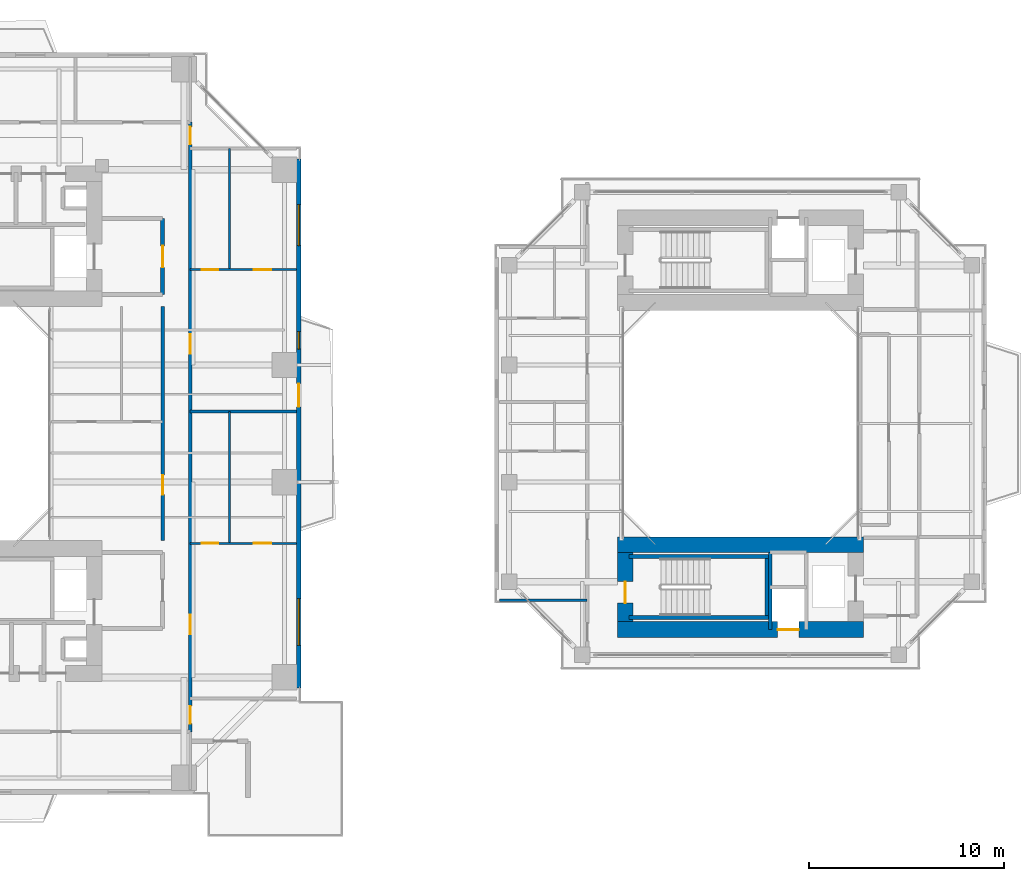
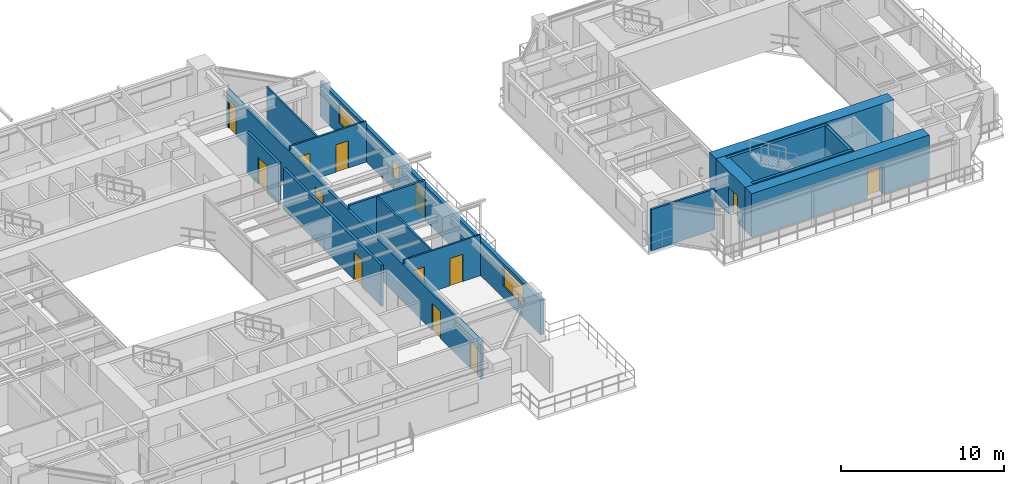
# One storey, part 16 of 23: 17 walls, 13 doors, 3 windows, 16 openings.
"""IFC4 building model written with IfcOpenShell, lengths in metres."""

from ifc_helpers import new_model, si_unit, direction, frame, frame_2d, origin, place, context, subcontext, project, spatial, rectangle, extrude, source, transform, mapped, material, layer, layer_set, type_object, element, fill, save


model = new_model("IFC4")

# Units and contexts
model_context = context("Model", 3, precision=1e-05, world=origin(), true_north=direction((0.0, 1.0)))
body_context = subcontext(model_context, "Body", "Model", "MODEL_VIEW")
ifc_project = project(units=[si_unit("LENGTHUNIT", "METRE"), si_unit("AREAUNIT", "SQUARE_METRE"), si_unit("VOLUMEUNIT", "CUBIC_METRE"), si_unit("PLANEANGLEUNIT", "RADIAN"), si_unit("MASSUNIT", "GRAM", prefix="KILO"), si_unit("THERMODYNAMICTEMPERATUREUNIT", "KELVIN"), si_unit("POWERUNIT", "WATT")], contexts=[model_context])

# Site, building, storey
site_placement = place(None, origin())
site = spatial("IfcSite", under=ifc_project, at=site_placement, CompositionType="ELEMENT")
building_placement = place(site_placement, origin())
building = spatial("IfcBuilding", under=site, at=building_placement, Name="Qiaomeng Ring Towers", CompositionType="ELEMENT")
storey_placement = place(building_placement, frame((0.0, 0.0, 73.0)))
storey = spatial("IfcBuildingStorey", under=building, at=storey_placement, Name="L20", CompositionType="ELEMENT", Elevation=73.0)

# Wall, openings, windows, door
ifc_material_1 = material(Name="Precast concrete C40", Category="concrete")
ifc_layer_1 = layer(ifc_material_1, 0.25, Name="Precast concrete C40")
ifc_layer_set_1 = layer_set([ifc_layer_1], Name="Precast concrete C40")
wall_type_1 = type_object("IfcWallType", Name="ARC-WL-EW1", PredefinedType="STANDARD", material=ifc_layer_set_1)
wall_1_placement = place(storey_placement, frame((37.875, 9.449951171875, 0.0), z_axis=(0.0, 0.0, 1.0), x_axis=(0.0, 1.0, 0.0)))
wall_1 = element("IfcWall", 1, at=wall_1_placement, inside=storey, type_object=wall_type_1, Name="L20 Tower 1 E Exterior Wall", PredefinedType="STANDARD", context=body_context, shape_type="SweptSolid", body=[
    extrude(rectangle(XDim=27.10009765625, YDim=0.25, at=frame_2d((13.550048828125, 0.0))), origin(), (0.0, 0.0, 1.0), 2.610107421875),
])
opening_1_placement = place(wall_1_placement, frame((14.39990234375, 0.0, 0.0)))
opening_1 = element("IfcOpeningElement", 2, at=opening_1_placement, cuts=wall_1, Name="Opening BD1", PredefinedType="OPENING", context=body_context, shape_type="SweptSolid", body=[
    extrude(rectangle(XDim=1.199951171875, YDim=2.10009765625, at=frame_2d((0.60009765625, 1.050048828125))), frame((0.0, 0.135009765625, 0.0), z_axis=(0.0, -1.0, 0.0), x_axis=(1.0, 0.0, 0.0)), (0.0, 0.0, 1.0), 0.27001953125),
])
opening_2_placement = place(wall_1_placement, frame((2.18798828125, 0.0, 0.89990234375)))
opening_2 = element("IfcOpeningElement", 3, at=opening_2_placement, cuts=wall_1, Name="Opening WN6", PredefinedType="OPENING", context=body_context, shape_type="SweptSolid", body=[
    extrude(rectangle(XDim=2.39990234375, YDim=1.47998046875, at=frame_2d((1.199951171875, 0.739990234375))), frame((0.0, 0.135009765625, 0.0), z_axis=(0.0, -1.0, 0.0), x_axis=(1.0, 0.0, 0.0)), (0.0, 0.0, 1.0), 0.27001953125),
])
opening_3_placement = place(wall_1_placement, frame((22.6630859375, 0.0, 0.89990234375)))
opening_3 = element("IfcOpeningElement", 4, at=opening_3_placement, cuts=wall_1, Name="Opening WN4", PredefinedType="OPENING", context=body_context, shape_type="SweptSolid", body=[
    extrude(rectangle(XDim=2.10009765625, YDim=1.47998046875, at=frame_2d((1.050048828125, 0.739990234375))), frame((0.0, 0.135009765625, 0.0), z_axis=(0.0, -1.0, 0.0), x_axis=(1.0, 0.0, 0.0)), (0.0, 0.0, 1.0), 0.27001953125),
])
opening_4_placement = place(wall_1_placement, frame((17.364990234375, 0.0, 0.89990234375)))
opening_4 = element("IfcOpeningElement", 5, at=opening_4_placement, cuts=wall_1, Name="Opening WN5", PredefinedType="OPENING", context=body_context, shape_type="SweptSolid", body=[
    extrude(rectangle(XDim=0.89990234375, YDim=1.199951171875, at=frame_2d((0.449951171875, 0.60009765625))), frame((0.0, 0.135009765625, 0.0), z_axis=(0.0, -1.0, 0.0), x_axis=(1.0, 0.0, 0.0)), (0.0, 0.0, 1.0), 0.27001953125),
])
ifc_material_2 = material(Name="Low-E dark-grey laminated double glazing", Category="glass")
window_type_1 = type_object("IfcWindowType", Name="ARC-WN-4", PartitioningType="TRIPLE_PANEL_VERTICAL", PredefinedType="WINDOW", material=ifc_material_2)
shared_shape_1 = source(origin(), body_context, "Body", "SweptSolid", [
    extrude(rectangle(XDim=2.10009765625, YDim=1.47998046875, at=frame_2d((1.050048828125, 0.739990234375))), frame((0.0, 0.030029296875, 0.0), z_axis=(0.0, -1.0, 0.0), x_axis=(1.0, 0.0, 0.0)), (0.0, 0.0, 1.0), 0.06005859375),
])
window_1_placement = place(opening_3_placement, origin())
window_1 = element("IfcWindow", 6, at=window_1_placement, inside=storey, type_object=window_type_1, Name="L20 Exterior Window WN4", OverallHeight=1.47998046875, OverallWidth=2.10009765625, PartitioningType="TRIPLE_PANEL_VERTICAL", PredefinedType="WINDOW", context=body_context, shape_type="MappedRepresentation", body=[
    mapped(shared_shape_1, transform((0.0, 0.0, 0.0), x_axis=(1.0, 0.0, 0.0), y_axis=(0.0, 1.0, 0.0), z_axis=(0.0, 0.0, 1.0), scale=1.0)),
])
fill(opening_3, window_1)
window_type_2 = type_object("IfcWindowType", Name="ARC-WN-6", PartitioningType="TRIPLE_PANEL_VERTICAL", PredefinedType="WINDOW", material=ifc_material_2)
shared_shape_2 = source(origin(), body_context, "Body", "SweptSolid", [
    extrude(rectangle(XDim=2.39990234375, YDim=1.47998046875, at=frame_2d((1.199951171875, 0.739990234375))), frame((0.0, 0.030029296875, 0.0), z_axis=(0.0, -1.0, 0.0), x_axis=(1.0, 0.0, 0.0)), (0.0, 0.0, 1.0), 0.06005859375),
])
window_2_placement = place(opening_2_placement, origin())
window_2 = element("IfcWindow", 7, at=window_2_placement, inside=storey, type_object=window_type_2, Name="L20 Exterior Window WN6", OverallHeight=1.47998046875, OverallWidth=2.39990234375, PartitioningType="TRIPLE_PANEL_VERTICAL", PredefinedType="WINDOW", context=body_context, shape_type="MappedRepresentation", body=[
    mapped(shared_shape_2, transform((0.0, 0.0, 0.0), x_axis=(1.0, 0.0, 0.0), y_axis=(0.0, 1.0, 0.0), z_axis=(0.0, 0.0, 1.0), scale=1.0)),
])
fill(opening_2, window_2)
door_type_1 = type_object("IfcDoorType", Name="ARC-DR-BD1", OperationType="NOTDEFINED", PredefinedType="DOOR", material=ifc_material_2)
shared_shape_3 = source(origin(), body_context, "Body", "SweptSolid", [
    extrude(rectangle(XDim=1.199951171875, YDim=2.10009765625, at=frame_2d((0.60009765625, 1.050048828125))), frame((0.0, 0.02490234375, 0.0), z_axis=(0.0, -1.0, 0.0), x_axis=(1.0, 0.0, 0.0)), (0.0, 0.0, 1.0), 0.050048828125),
])
door_1_placement = place(opening_1_placement, origin())
door_1 = element("IfcDoor", 8, at=door_1_placement, inside=storey, type_object=door_type_1, Name="L20 E Balcony Glazed Door", OperationType="SINGLE_SWING_LEFT", OverallHeight=2.10009765625, OverallWidth=1.199951171875, PredefinedType="DOOR", context=body_context, shape_type="MappedRepresentation", body=[
    mapped(shared_shape_3, transform((0.0, 0.0, 0.0), x_axis=(1.0, 0.0, 0.0), y_axis=(0.0, 1.0, 0.0), z_axis=(0.0, 0.0, 1.0), scale=1.0)),
])
fill(opening_1, door_1)
window_type_3 = type_object("IfcWindowType", Name="ARC-WN-5", PartitioningType="SINGLE_PANEL", PredefinedType="WINDOW", material=ifc_material_2)
shared_shape_4 = source(origin(), body_context, "Body", "SweptSolid", [
    extrude(rectangle(XDim=0.89990234375, YDim=1.199951171875, at=frame_2d((0.449951171875, 0.60009765625))), frame((0.0, 0.030029296875, 0.0), z_axis=(0.0, -1.0, 0.0), x_axis=(1.0, 0.0, 0.0)), (0.0, 0.0, 1.0), 0.06005859375),
])
window_3_placement = place(opening_4_placement, origin())
window_3 = element("IfcWindow", 9, at=window_3_placement, inside=storey, type_object=window_type_3, Name="L20 Exterior Window WN5", OverallHeight=1.199951171875, OverallWidth=0.89990234375, PartitioningType="SINGLE_PANEL", PredefinedType="WINDOW", context=body_context, shape_type="MappedRepresentation", body=[
    mapped(shared_shape_4, transform((0.0, 0.0, 0.0), x_axis=(1.0, 0.0, 0.0), y_axis=(0.0, 1.0, 0.0), z_axis=(0.0, 0.0, 1.0), scale=1.0)),
])
fill(opening_4, window_3)

# Wall, opening, door
ifc_material_3 = material(Name="Autoclaved aerated concrete block", Category="concrete")
ifc_layer_2 = layer(ifc_material_3, 0.199951171875, Name="Autoclaved aerated concrete block")
ifc_layer_set_2 = layer_set([ifc_layer_2], Name="Autoclaved aerated concrete block")
wall_type_2 = type_object("IfcWallType", Name="ARC-WL-PW1", PredefinedType="PARTITIONING", material=ifc_layer_set_2)
wall_2_placement = place(storey_placement, frame((30.89990234375, 29.60009765625, 0.0), z_axis=(0.0, 0.0, 1.0), x_axis=(0.0, 1.0, 0.0)))
wall_2 = element("IfcWall", 10, at=wall_2_placement, inside=storey, type_object=wall_type_2, Name="L20 Interior Wall PW1", PredefinedType="PARTITIONING", context=body_context, shape_type="SweptSolid", body=[
    extrude(rectangle(XDim=3.89990234375, YDim=0.199951171875, at=frame_2d((1.949951171875, 0.0))), origin(), (0.0, 0.0, 1.0), 3.070068359375),
])
opening_5_placement = place(wall_2_placement, frame((1.39990234375, 0.0, 0.0)))
opening_5 = element("IfcOpeningElement", 11, at=opening_5_placement, cuts=wall_2, Name="Opening FD3", PredefinedType="OPENING", context=body_context, shape_type="SweptSolid", body=[
    extrude(rectangle(XDim=1.10009765625, YDim=2.050048828125, at=frame_2d((0.550048828125, 1.02490234375))), frame((0.0, 0.10986328125, 0.0), z_axis=(0.0, -1.0, 0.0), x_axis=(1.0, 0.0, 0.0)), (0.0, 0.0, 1.0), 0.219970703125),
])
ifc_material_4 = material(Name="Galvanised steel", Category="steel")
door_type_2 = type_object("IfcDoorType", Name="ARC-DR-FD3", OperationType="NOTDEFINED", PredefinedType="DOOR", material=ifc_material_4)
shared_shape_5 = source(origin(), body_context, "Body", "SweptSolid", [
    extrude(rectangle(XDim=1.10009765625, YDim=2.050048828125, at=frame_2d((0.550048828125, 1.02490234375))), frame((0.0, 0.02490234375, 0.0), z_axis=(0.0, -1.0, 0.0), x_axis=(1.0, 0.0, 0.0)), (0.0, 0.0, 1.0), 0.050048828125),
])
door_2_placement = place(opening_5_placement, origin())
door_2 = element("IfcDoor", 12, at=door_2_placement, inside=storey, type_object=door_type_2, Name="L20 North FF Lobby Door", OperationType="SINGLE_SWING_LEFT", OverallHeight=2.050048828125, OverallWidth=1.10009765625, PredefinedType="DOOR", context=body_context, shape_type="MappedRepresentation", body=[
    mapped(shared_shape_5, transform((0.0, 0.0, 0.0), x_axis=(1.0, 0.0, 0.0), y_axis=(0.0, 1.0, 0.0), z_axis=(0.0, 0.0, 1.0), scale=1.0)),
])
fill(opening_5, door_2)

# Wall, openings, doors
ifc_layer_3 = layer(ifc_material_3, 0.179931640625, Name="Autoclaved aerated concrete block")
ifc_layer_set_3 = layer_set([ifc_layer_3], Name="Autoclaved aerated concrete block")
wall_type_3 = type_object("IfcWallType", Name="ARC-WL-PW2", PredefinedType="PARTITIONING", material=ifc_layer_set_3)
wall_3_placement = place(storey_placement, frame((32.320068359375, 7.2099609375, 0.0), z_axis=(0.0, 0.0, 1.0), x_axis=(0.0, 1.0, 0.0)))
wall_3 = element("IfcWall", 13, at=wall_3_placement, inside=storey, type_object=wall_type_3, Name="L20 Interior Wall PW2", PredefinedType="PARTITIONING", context=body_context, shape_type="SweptSolid", body=[
    extrude(rectangle(XDim=31.22998046875, YDim=0.179931640625, at=frame_2d((15.614990234375, 0.0))), origin(), (0.0, 0.0, 1.0), 2.77099609375),
])
opening_6_placement = place(wall_3_placement, frame((30.090087890625, 0.0, 0.0)))
opening_6 = element("IfcOpeningElement", 14, at=opening_6_placement, cuts=wall_3, Name="Opening ID1", PredefinedType="OPENING", context=body_context, shape_type="SweptSolid", body=[
    extrude(rectangle(XDim=0.89990234375, YDim=2.050048828125, at=frame_2d((0.449951171875, 1.02490234375))), frame((0.0, 0.099853515625, 0.0), z_axis=(0.0, -1.0, 0.0), x_axis=(1.0, 0.0, 0.0)), (0.0, 0.0, 1.0), 0.199951171875),
])
opening_7_placement = place(wall_3_placement, frame((0.4150390625, 0.0, 0.0)))
opening_7 = element("IfcOpeningElement", 15, at=opening_7_placement, cuts=wall_3, Name="Opening ID1", PredefinedType="OPENING", context=body_context, shape_type="SweptSolid", body=[
    extrude(rectangle(XDim=0.89990234375, YDim=2.050048828125, at=frame_2d((0.449951171875, 1.02490234375))), frame((0.0, 0.099853515625, 0.0), z_axis=(0.0, -1.0, 0.0), x_axis=(1.0, 0.0, 0.0)), (0.0, 0.0, 1.0), 0.199951171875),
])
opening_8_placement = place(wall_3_placement, frame((4.989990234375, 0.0, 0.0)))
opening_8 = element("IfcOpeningElement", 16, at=opening_8_placement, cuts=wall_3, Name="Opening FD4", PredefinedType="OPENING", context=body_context, shape_type="SweptSolid", body=[
    extrude(rectangle(XDim=1.0, YDim=2.050048828125, at=frame_2d((0.5, 1.02490234375))), frame((0.0, 0.099853515625, 0.0), z_axis=(0.0, -1.0, 0.0), x_axis=(1.0, 0.0, 0.0)), (0.0, 0.0, 1.0), 0.199951171875),
])
opening_9_placement = place(wall_3_placement, frame((19.35498046875, 0.0, 0.0)))
opening_9 = element("IfcOpeningElement", 17, at=opening_9_placement, cuts=wall_3, Name="Opening FD4", PredefinedType="OPENING", context=body_context, shape_type="SweptSolid", body=[
    extrude(rectangle(XDim=1.0, YDim=2.050048828125, at=frame_2d((0.5, 1.02490234375))), frame((0.0, 0.099853515625, 0.0), z_axis=(0.0, -1.0, 0.0), x_axis=(1.0, 0.0, 0.0)), (0.0, 0.0, 1.0), 0.199951171875),
])
ifc_material_5 = material(Name="Engineered fire-rated oak timber", Category="wood")
door_type_3 = type_object("IfcDoorType", Name="ARC-DR-FD4", OperationType="NOTDEFINED", PredefinedType="DOOR", material=ifc_material_5)
shared_shape_6 = source(origin(), body_context, "Body", "SweptSolid", [
    extrude(rectangle(XDim=1.0, YDim=2.050048828125, at=frame_2d((0.5, 1.02490234375))), frame((0.0, 0.02490234375, 0.0), z_axis=(0.0, -1.0, 0.0), x_axis=(1.0, 0.0, 0.0)), (0.0, 0.0, 1.0), 0.050048828125),
])
door_3_placement = place(opening_8_placement, origin())
door_3 = element("IfcDoor", 18, at=door_3_placement, inside=storey, type_object=door_type_3, Name="L20 Door FD4", OperationType="SINGLE_SWING_RIGHT", OverallHeight=2.050048828125, OverallWidth=1.0, PredefinedType="DOOR", context=body_context, shape_type="MappedRepresentation", body=[
    mapped(shared_shape_6, transform((0.0, 0.0, 0.0), x_axis=(1.0, 0.0, 0.0), y_axis=(0.0, 1.0, 0.0), z_axis=(0.0, 0.0, 1.0), scale=1.0)),
])
fill(opening_8, door_3)
door_4_placement = place(opening_9_placement, origin())
door_4 = element("IfcDoor", 19, at=door_4_placement, inside=storey, type_object=door_type_3, Name="L20 Door FD4", OperationType="SINGLE_SWING_LEFT", OverallHeight=2.050048828125, OverallWidth=1.0, PredefinedType="DOOR", context=body_context, shape_type="MappedRepresentation", body=[
    mapped(shared_shape_6, transform((0.0, 0.0, 0.0), x_axis=(1.0, 0.0, 0.0), y_axis=(0.0, 1.0, 0.0), z_axis=(0.0, 0.0, 1.0), scale=1.0)),
])
fill(opening_9, door_4)
ifc_material_6 = material(Name="Engineered oak timber", Category="wood")
door_type_4 = type_object("IfcDoorType", Name="ARC-DR-ID1", OperationType="NOTDEFINED", PredefinedType="DOOR", material=ifc_material_6)
shared_shape_7 = source(origin(), body_context, "Body", "SweptSolid", [
    extrude(rectangle(XDim=0.89990234375, YDim=2.050048828125, at=frame_2d((0.449951171875, 1.02490234375))), frame((0.0, 0.02490234375, 0.0), z_axis=(0.0, -1.0, 0.0), x_axis=(1.0, 0.0, 0.0)), (0.0, 0.0, 1.0), 0.050048828125),
])
door_5_placement = place(opening_6_placement, origin())
door_5 = element("IfcDoor", 20, at=door_5_placement, inside=storey, type_object=door_type_4, Name="L20 Door ID1", OperationType="SINGLE_SWING_RIGHT", OverallHeight=2.050048828125, OverallWidth=0.89990234375, PredefinedType="DOOR", context=body_context, shape_type="MappedRepresentation", body=[
    mapped(shared_shape_7, transform((0.0, 0.0, 0.0), x_axis=(1.0, 0.0, 0.0), y_axis=(0.0, 1.0, 0.0), z_axis=(0.0, 0.0, 1.0), scale=1.0)),
])
fill(opening_6, door_5)
door_6_placement = place(opening_7_placement, origin())
door_6 = element("IfcDoor", 21, at=door_6_placement, inside=storey, type_object=door_type_4, Name="L20 Door ID1", OperationType="SINGLE_SWING_LEFT", OverallHeight=2.050048828125, OverallWidth=0.89990234375, PredefinedType="DOOR", context=body_context, shape_type="MappedRepresentation", body=[
    mapped(shared_shape_7, transform((0.0, 0.0, 0.0), x_axis=(1.0, 0.0, 0.0), y_axis=(0.0, 1.0, 0.0), z_axis=(0.0, 0.0, 1.0), scale=1.0)),
])
fill(opening_7, door_6)

# Wall, opening, door
wall_4_placement = place(storey_placement, frame((30.89990234375, 17.0, 0.0), z_axis=(0.0, 0.0, 1.0), x_axis=(0.0, 1.0, 0.0)))
wall_4 = element("IfcWall", 22, at=wall_4_placement, inside=storey, type_object=wall_type_3, Name="L20 Interior Wall PW2", PredefinedType="PARTITIONING", context=body_context, shape_type="SweptSolid", body=[
    extrude(rectangle(XDim=12.0, YDim=0.179931640625, at=frame_2d((6.0, 0.0))), origin(), (0.0, 0.0, 1.0), 3.070068359375),
])
opening_10_placement = place(wall_4_placement, frame((2.360107421875, 0.0, 0.0)))
opening_10 = element("IfcOpeningElement", 23, at=opening_10_placement, cuts=wall_4, Name="Opening FD4", PredefinedType="OPENING", context=body_context, shape_type="SweptSolid", body=[
    extrude(rectangle(XDim=1.0, YDim=2.050048828125, at=frame_2d((0.5, 1.02490234375))), frame((0.0, 0.099853515625, 0.0), z_axis=(0.0, -1.0, 0.0), x_axis=(1.0, 0.0, 0.0)), (0.0, 0.0, 1.0), 0.199951171875),
])
door_7_placement = place(opening_10_placement, origin())
door_7 = element("IfcDoor", 24, at=door_7_placement, inside=storey, type_object=door_type_3, Name="L20 Door FD4", OperationType="SINGLE_SWING_RIGHT", OverallHeight=2.050048828125, OverallWidth=1.0, PredefinedType="DOOR", context=body_context, shape_type="MappedRepresentation", body=[
    mapped(shared_shape_6, transform((0.0, 0.0, 0.0), x_axis=(1.0, 0.0, 0.0), y_axis=(0.0, 1.0, 0.0), z_axis=(0.0, 0.0, 1.0), scale=1.0)),
])
fill(opening_10, door_7)

# Walls
ifc_material_7 = material(Name="Gypsum fireboard steel-stud partition", Category="steel")
ifc_layer_4 = layer(ifc_material_7, 0.14990234375, Name="Gypsum fireboard steel-stud partition")
ifc_layer_set_4 = layer_set([ifc_layer_4], Name="Gypsum fireboard steel-stud partition")
wall_type_4 = type_object("IfcWallType", Name="ARC-WL-PW3", PredefinedType="PARTITIONING", material=ifc_layer_set_4)
wall_5_placement = place(storey_placement, frame((32.320068359375, 23.6201171875, 0.0), z_axis=(0.0, 0.0, 1.0), x_axis=(1.0, 0.0, 0.0)))
element("IfcWall", 25, at=wall_5_placement, inside=storey, type_object=wall_type_4, Name="L20 Interior Wall PW3", PredefinedType="PARTITIONING", context=body_context, shape_type="SweptSolid", body=[
    extrude(rectangle(XDim=5.429931640625, YDim=0.14990234375, at=frame_2d((2.71484375, 0.0))), origin(), (0.0, 0.0, 1.0), 3.070068359375),
])
wall_6_placement = place(storey_placement, frame((48.14990234375, 13.949951171875, 0.0), z_axis=(0.0, 0.0, 1.0), x_axis=(1.0, 0.0, 0.0)))
element("IfcWall", 26, at=wall_6_placement, inside=storey, type_object=wall_type_4, Name="L20 Interior Wall PW3", PredefinedType="PARTITIONING", context=body_context, shape_type="SweptSolid", body=[
    extrude(rectangle(XDim=4.5, YDim=0.14990234375, at=frame_2d((2.25, 0.0))), origin(), (0.0, 0.0, 1.0), 3.070068359375),
])

# Wall, openings, doors
ifc_material_8 = material(Name="Moisture-resistant gypsum steel-stud partition", Category="steel")
ifc_layer_5 = layer(ifc_material_8, 0.1201171875, Name="Moisture-resistant gypsum steel-stud partition")
ifc_layer_set_5 = layer_set([ifc_layer_5], Name="Moisture-resistant gypsum steel-stud partition")
wall_type_5 = type_object("IfcWallType", Name="ARC-WL-PW4", PredefinedType="PLUMBINGWALL", material=ifc_layer_set_5)
wall_7_placement = place(storey_placement, frame((32.320068359375, 16.860107421875, 0.0), z_axis=(0.0, 0.0, 1.0), x_axis=(1.0, 0.0, 0.0)))
wall_7 = element("IfcWall", 27, at=wall_7_placement, inside=storey, type_object=wall_type_5, Name="L20 Interior Wall PW4", PredefinedType="PLUMBINGWALL", context=body_context, shape_type="SweptSolid", body=[
    extrude(rectangle(XDim=5.429931640625, YDim=0.1201171875, at=frame_2d((2.71484375, 0.0))), origin(), (0.0, 0.0, 1.0), 3.070068359375),
])
opening_11_placement = place(wall_7_placement, frame((0.590087890625, 0.0, 0.0)))
opening_11 = element("IfcOpeningElement", 28, at=opening_11_placement, cuts=wall_7, Name="Opening ID2", PredefinedType="OPENING", context=body_context, shape_type="SweptSolid", body=[
    extrude(rectangle(XDim=0.85009765625, YDim=2.050048828125, at=frame_2d((0.425048828125, 1.02490234375))), frame((0.0, 0.070068359375, 0.0), z_axis=(0.0, -1.0, 0.0), x_axis=(1.0, 0.0, 0.0)), (0.0, 0.0, 1.0), 0.14013671875),
])
opening_12_placement = place(wall_7_placement, frame((3.260009765625, 0.0, 0.0)))
opening_12 = element("IfcOpeningElement", 29, at=opening_12_placement, cuts=wall_7, Name="Opening ID1", PredefinedType="OPENING", context=body_context, shape_type="SweptSolid", body=[
    extrude(rectangle(XDim=0.89990234375, YDim=2.050048828125, at=frame_2d((0.449951171875, 1.02490234375))), frame((0.0, 0.070068359375, 0.0), z_axis=(0.0, -1.0, 0.0), x_axis=(1.0, 0.0, 0.0)), (0.0, 0.0, 1.0), 0.14013671875),
])
ifc_material_9 = material(Name="Moisture-resistant engineered timber", Category="wood")
door_type_5 = type_object("IfcDoorType", Name="ARC-DR-ID2", OperationType="NOTDEFINED", PredefinedType="DOOR", material=ifc_material_9)
shared_shape_8 = source(origin(), body_context, "Body", "SweptSolid", [
    extrude(rectangle(XDim=0.85009765625, YDim=2.050048828125, at=frame_2d((0.425048828125, 1.02490234375))), frame((0.0, 0.02490234375, 0.0), z_axis=(0.0, -1.0, 0.0), x_axis=(1.0, 0.0, 0.0)), (0.0, 0.0, 1.0), 0.050048828125),
])
door_8_placement = place(opening_11_placement, origin())
door_8 = element("IfcDoor", 30, at=door_8_placement, inside=storey, type_object=door_type_5, Name="L20 Door ID2", OperationType="SINGLE_SWING_RIGHT", OverallHeight=2.050048828125, OverallWidth=0.85009765625, PredefinedType="DOOR", context=body_context, shape_type="MappedRepresentation", body=[
    mapped(shared_shape_8, transform((0.0, 0.0, 0.0), x_axis=(1.0, 0.0, 0.0), y_axis=(0.0, 1.0, 0.0), z_axis=(0.0, 0.0, 1.0), scale=1.0)),
])
fill(opening_11, door_8)
door_9_placement = place(opening_12_placement, origin())
door_9 = element("IfcDoor", 31, at=door_9_placement, inside=storey, type_object=door_type_4, Name="L20 Door ID1", OperationType="SINGLE_SWING_LEFT", OverallHeight=2.050048828125, OverallWidth=0.89990234375, PredefinedType="DOOR", context=body_context, shape_type="MappedRepresentation", body=[
    mapped(shared_shape_7, transform((0.0, 0.0, 0.0), x_axis=(1.0, 0.0, 0.0), y_axis=(0.0, 1.0, 0.0), z_axis=(0.0, 0.0, 1.0), scale=1.0)),
])
fill(opening_12, door_9)

# Wall
wall_8_placement = place(storey_placement, frame((34.330078125, 16.860107421875, 0.0), z_axis=(0.0, 0.0, 1.0), x_axis=(0.0, 1.0, 0.0)))
element("IfcWall", 32, at=wall_8_placement, inside=storey, type_object=wall_type_5, Name="L20 Interior Wall PW4", PredefinedType="PLUMBINGWALL", context=body_context, shape_type="SweptSolid", body=[
    extrude(rectangle(XDim=6.760009765625, YDim=0.1201171875, at=frame_2d((3.3798828125, 0.0))), origin(), (0.0, 0.0, 1.0), 3.070068359375),
])

# Wall, openings, doors
wall_9_placement = place(storey_placement, frame((32.320068359375, 30.889892578125, 0.0), z_axis=(0.0, 0.0, 1.0), x_axis=(1.0, 0.0, 0.0)))
wall_9 = element("IfcWall", 33, at=wall_9_placement, inside=storey, type_object=wall_type_5, Name="L20 Interior Wall PW4", PredefinedType="PLUMBINGWALL", context=body_context, shape_type="SweptSolid", body=[
    extrude(rectangle(XDim=5.429931640625, YDim=0.1201171875, at=frame_2d((2.71484375, 0.0))), origin(), (0.0, 0.0, 1.0), 3.070068359375),
])
opening_13_placement = place(wall_9_placement, frame((0.590087890625, 0.0, 0.0)))
opening_13 = element("IfcOpeningElement", 34, at=opening_13_placement, cuts=wall_9, Name="Opening ID2", PredefinedType="OPENING", context=body_context, shape_type="SweptSolid", body=[
    extrude(rectangle(XDim=0.85009765625, YDim=2.050048828125, at=frame_2d((0.425048828125, 1.02490234375))), frame((0.0, 0.070068359375, 0.0), z_axis=(0.0, -1.0, 0.0), x_axis=(1.0, 0.0, 0.0)), (0.0, 0.0, 1.0), 0.14013671875),
])
opening_14_placement = place(wall_9_placement, frame((3.260009765625, 0.0, 0.0)))
opening_14 = element("IfcOpeningElement", 35, at=opening_14_placement, cuts=wall_9, Name="Opening ID1", PredefinedType="OPENING", context=body_context, shape_type="SweptSolid", body=[
    extrude(rectangle(XDim=0.89990234375, YDim=2.050048828125, at=frame_2d((0.449951171875, 1.02490234375))), frame((0.0, 0.070068359375, 0.0), z_axis=(0.0, -1.0, 0.0), x_axis=(1.0, 0.0, 0.0)), (0.0, 0.0, 1.0), 0.14013671875),
])
door_10_placement = place(opening_13_placement, origin())
door_10 = element("IfcDoor", 36, at=door_10_placement, inside=storey, type_object=door_type_5, Name="L20 Door ID2", OperationType="SINGLE_SWING_LEFT", OverallHeight=2.050048828125, OverallWidth=0.85009765625, PredefinedType="DOOR", context=body_context, shape_type="MappedRepresentation", body=[
    mapped(shared_shape_8, transform((0.0, 0.0, 0.0), x_axis=(1.0, 0.0, 0.0), y_axis=(0.0, 1.0, 0.0), z_axis=(0.0, 0.0, 1.0), scale=1.0)),
])
fill(opening_13, door_10)
door_11_placement = place(opening_14_placement, origin())
door_11 = element("IfcDoor", 37, at=door_11_placement, inside=storey, type_object=door_type_4, Name="L20 Door ID1", OperationType="SINGLE_SWING_RIGHT", OverallHeight=2.050048828125, OverallWidth=0.89990234375, PredefinedType="DOOR", context=body_context, shape_type="MappedRepresentation", body=[
    mapped(shared_shape_7, transform((0.0, 0.0, 0.0), x_axis=(1.0, 0.0, 0.0), y_axis=(0.0, 1.0, 0.0), z_axis=(0.0, 0.0, 1.0), scale=1.0)),
])
fill(opening_14, door_11)

# Walls
wall_10_placement = place(storey_placement, frame((34.330078125, 30.889892578125, 0.0), z_axis=(0.0, 0.0, 1.0), x_axis=(0.0, 1.0, 0.0)))
element("IfcWall", 38, at=wall_10_placement, inside=storey, type_object=wall_type_5, Name="L20 Interior Wall PW4", PredefinedType="PLUMBINGWALL", context=body_context, shape_type="SweptSolid", body=[
    extrude(rectangle(XDim=6.190185546875, YDim=0.1201171875, at=frame_2d((3.09521484375, 0.0))), origin(), (0.0, 0.0, 1.0), 3.070068359375),
])
ifc_material_10 = material(Name="Concrete C40", Category="concrete")
ifc_layer_6 = layer(ifc_material_10, 0.199951171875, Name="Concrete C40")
ifc_layer_set_6 = layer_set([ifc_layer_6], Name="Concrete C40")
wall_type_6 = type_object("IfcWallType", Name="STR-WL-STSHAFT", PredefinedType="SHEAR", material=ifc_layer_set_6)
wall_11_placement = place(storey_placement, frame((62.02001953125, 12.449951171875, 0.0), z_axis=(0.0, 0.0, 1.0), x_axis=(0.0, 1.0, 0.0)))
element("IfcWall", 39, at=wall_11_placement, inside=storey, type_object=wall_type_6, Name="L20 Companion Lift Shaft West Wall S", PredefinedType="SHEAR", context=body_context, shape_type="SweptSolid", body=[
    extrude(rectangle(XDim=3.949951171875, YDim=0.179931640625, at=frame_2d((1.97509765625, 0.0))), origin(), (0.0, 0.0, 1.0), 3.070068359375),
])
for number, where, z_axis, x_axis, name in (
    (40, (54.800048828125, 13.06005859375, 0.0), (0.0, 0.0, 1.0), (1.0, 0.0, 0.0), "L20 Stair ST6 South Shaft Shear Wall"),
    (41, (54.800048828125, 16.199951171875, 0.0), (0.0, 0.0, 1.0), (1.0, 0.0, 0.0), "L20 Stair ST6 North Shaft Shear Wall"),
):
    element("IfcWall", number, at=place(storey_placement, frame(where, z_axis=z_axis, x_axis=x_axis)), inside=storey, type_object=wall_type_6, Name=name, PredefinedType="SHEAR", context=body_context, shape_type="SweptSolid", body=[
        extrude(rectangle(XDim=7.14990234375, YDim=0.199951171875, at=frame_2d((3.574951171875, 0.0))), origin(), (0.0, 0.0, 1.0), 3.25),
    ])
wall_12_placement = place(storey_placement, frame((61.85009765625, 13.159912109375, 0.0), z_axis=(0.0, 0.0, 1.0), x_axis=(0.0, 1.0, 0.0)))
element("IfcWall", 42, at=wall_12_placement, inside=storey, type_object=wall_type_6, Name="L20 Stair ST6 East Shaft Shear Wall", PredefinedType="SHEAR", context=body_context, shape_type="SweptSolid", body=[
    extrude(rectangle(XDim=2.940185546875, YDim=0.199951171875, at=frame_2d((1.47021484375, 0.0))), origin(), (0.0, 0.0, 1.0), 3.25),
])

# Wall, opening, door
ifc_material_11 = material(Name="Concrete C60", Category="concrete")
ifc_layer_7 = layer(ifc_material_11, 0.800048828125, Name="Concrete C60")
ifc_layer_set_7 = layer_set([ifc_layer_7], Name="Concrete C60")
wall_type_7 = type_object("IfcWallType", Name="STR-WL-SW1", PredefinedType="SHEAR", material=ifc_layer_set_7)
wall_13_placement = place(storey_placement, frame((54.199951171875, 12.449951171875, 0.0), z_axis=(0.0, 0.0, 1.0), x_axis=(1.0, 0.0, 0.0)))
wall_13 = element("IfcWall", 43, at=wall_13_placement, inside=storey, type_object=wall_type_7, Name="L20 T2SC south core shear wall", PredefinedType="SHEAR", context=body_context, shape_type="SweptSolid", body=[
    extrude(rectangle(XDim=12.60009765625, YDim=0.800048828125, at=frame_2d((6.300048828125, 0.0))), origin(), (0.0, 0.0, 1.0), 3.25),
])
opening_15_placement = place(wall_13_placement, frame((8.199951171875, 0.0, 0.0)))
opening_15 = element("IfcOpeningElement", 44, at=opening_15_placement, cuts=wall_13, Name="Opening LD1", PredefinedType="OPENING", context=body_context, shape_type="SweptSolid", body=[
    extrude(rectangle(XDim=1.10009765625, YDim=2.050048828125, at=frame_2d((0.550048828125, 1.02490234375))), frame((0.0, 0.409912109375, 0.0), z_axis=(0.0, -1.0, 0.0), x_axis=(1.0, 0.0, 0.0)), (0.0, 0.0, 1.0), 0.820068359375),
])
ifc_material_12 = material(Name="Stainless steel 316", Category="steel")
door_type_6 = type_object("IfcDoorType", Name="ARC-DR-LD1", OperationType="NOTDEFINED", PredefinedType="DOOR", material=ifc_material_12)
door_12_placement = place(opening_15_placement, origin())
door_12 = element("IfcDoor", 45, at=door_12_placement, inside=storey, type_object=door_type_6, Name="L20 Companion Lift LP8 Landing Door", OperationType="SLIDING_TO_RIGHT", OverallHeight=2.050048828125, OverallWidth=1.10009765625, PredefinedType="DOOR", context=body_context, shape_type="MappedRepresentation", body=[
    mapped(shared_shape_5, transform((0.0, 0.0, 0.0), x_axis=(1.0, 0.0, 0.0), y_axis=(0.0, 1.0, 0.0), z_axis=(0.0, 0.0, 1.0), scale=1.0)),
])
fill(opening_15, door_12)

# Wall
wall_14_placement = place(storey_placement, frame((54.199951171875, 16.800048828125, 0.0), z_axis=(0.0, 0.0, 1.0), x_axis=(1.0, 0.0, 0.0)))
element("IfcWall", 46, at=wall_14_placement, inside=storey, type_object=wall_type_7, Name="L20 T2SC north core shear wall", PredefinedType="SHEAR", context=body_context, shape_type="SweptSolid", body=[
    extrude(rectangle(XDim=12.60009765625, YDim=0.800048828125, at=frame_2d((6.300048828125, 0.0))), origin(), (0.0, 0.0, 1.0), 3.25),
])

# Wall, opening, door
wall_15_placement = place(storey_placement, frame((54.60009765625, 12.85009765625, 0.0), z_axis=(0.0, 0.0, 1.0), x_axis=(0.0, 1.0, 0.0)))
wall_15 = element("IfcWall", 47, at=wall_15_placement, inside=storey, type_object=wall_type_7, Name="L20 T2SC west core shear wall", PredefinedType="SHEAR", context=body_context, shape_type="SweptSolid", body=[
    extrude(rectangle(XDim=3.5498046875, YDim=0.800048828125, at=frame_2d((1.77490234375, 0.0))), origin(), (0.0, 0.0, 1.0), 3.25),
])
opening_16_placement = place(wall_15_placement, frame((0.949951171875, 0.0, 0.0)))
opening_16 = element("IfcOpeningElement", 48, at=opening_16_placement, cuts=wall_15, Name="Opening FD3", PredefinedType="OPENING", context=body_context, shape_type="SweptSolid", body=[
    extrude(rectangle(XDim=1.10009765625, YDim=2.050048828125, at=frame_2d((0.550048828125, 1.02490234375))), frame((0.0, 0.409912109375, 0.0), z_axis=(0.0, -1.0, 0.0), x_axis=(1.0, 0.0, 0.0)), (0.0, 0.0, 1.0), 0.820068359375),
])
door_13_placement = place(opening_16_placement, origin())
door_13 = element("IfcDoor", 49, at=door_13_placement, inside=storey, type_object=door_type_2, Name="L20 Stair ST6 Exit Door", OperationType="SINGLE_SWING_RIGHT", OverallHeight=2.050048828125, OverallWidth=1.10009765625, PredefinedType="DOOR", context=body_context, shape_type="MappedRepresentation", body=[
    mapped(shared_shape_5, transform((0.0, 0.0, 0.0), x_axis=(1.0, 0.0, 0.0), y_axis=(0.0, 1.0, 0.0), z_axis=(0.0, 0.0, 1.0), scale=1.0)),
])
fill(opening_16, door_13)

save(model, "model.ifc")
